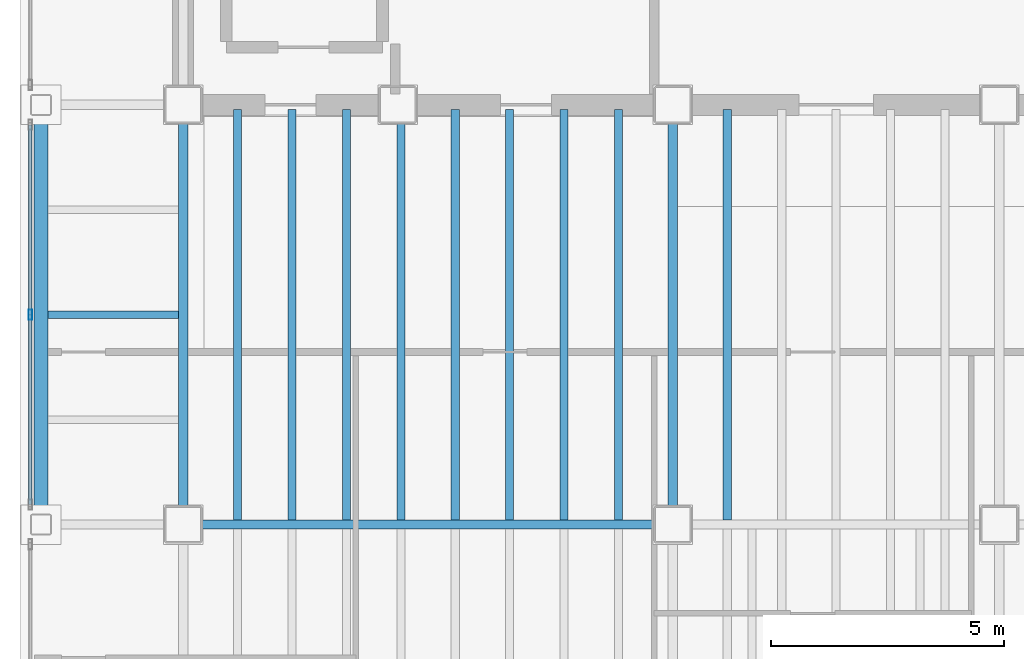
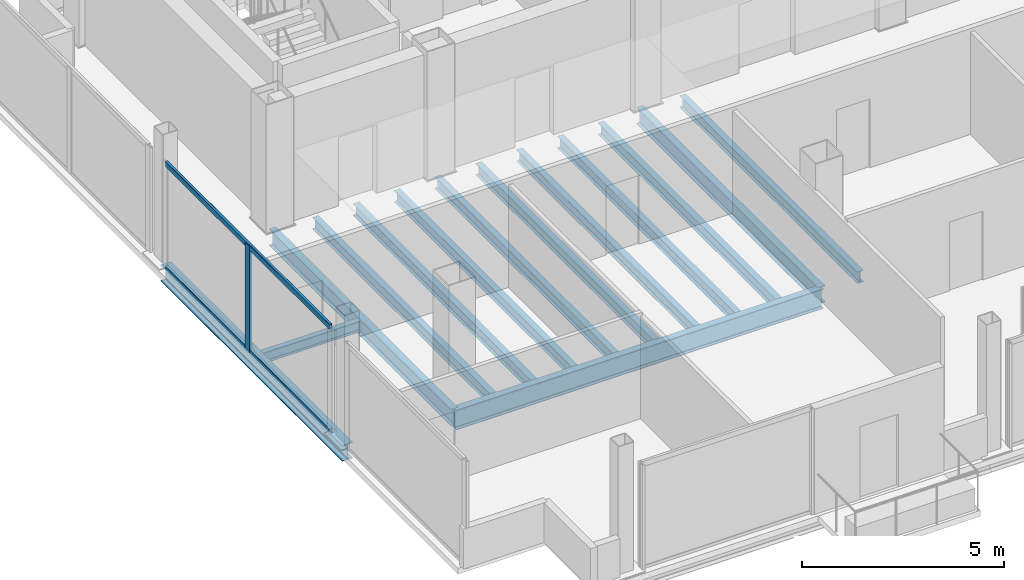
# One storey, part 3 of 15: 14 beams, 3 members, 1 element without a shape of its own.
"""IFC4 building model written with IfcOpenShell, lengths in metres."""

from ifc_helpers import new_model, si_unit, direction, frame, origin, origin_2d, place, context, subcontext, project, spatial, hollow_rectangle, i_section, extrude, material, material_profile, profile_set, type_object, element, aggregate, save


model = new_model("IFC4")

# Units and contexts
model_context = context("Model", 3, precision=1e-05, world=origin(), true_north=direction((0.0, 1.0)))
body_context = subcontext(model_context, "Body", "Model", "MODEL_VIEW")
ifc_project = project(units=[si_unit("LENGTHUNIT", "METRE"), si_unit("AREAUNIT", "SQUARE_METRE"), si_unit("VOLUMEUNIT", "CUBIC_METRE"), si_unit("PLANEANGLEUNIT", "RADIAN"), si_unit("MASSUNIT", "GRAM", prefix="KILO")], contexts=[model_context])

# Site, building, storey
site_placement = place(None, origin())
site = spatial("IfcSite", under=ifc_project, at=site_placement, CompositionType="ELEMENT")
building_placement = place(site_placement, origin())
building = spatial("IfcBuilding", under=site, at=building_placement, Name="Noeulbin Bourse Tower", CompositionType="ELEMENT")
storey_placement = place(building_placement, frame((0.0, 0.0, 218.89990234375)))
storey = spatial("IfcBuildingStorey", under=building, at=storey_placement, Name="L54", CompositionType="ELEMENT", Elevation=218.89990234375)

# Beams
ifc_material_1 = material(Name="Steel S355", Category="steel")
ifc_material_profile_1 = material_profile(ifc_material_1, i_section(OverallWidth=0.199951171875, OverallDepth=0.5, WebThickness=0.010009765625, FlangeThickness=0.01611328125, FilletRadius=0.02001953125, at=origin_2d()), Name="H-500x200x10x16", Category="LoadBearing")
ifc_profile_set_1 = profile_set([ifc_material_profile_1], Name="Steel S355")
beam_type_1 = type_object("IfcBeamType", Name="BM-GRD-500", PredefinedType="USERDEFINED", material=ifc_profile_set_1)
for number, where, z_axis, x_axis, name in (
    (1, (13.5, 20.0, -0.429931640625), (0.0, 1.0, 0.0), (-1.0, 0.0, 0.0), "Tower Primary Girder NS L54-1.2"),
    (2, (24.0, 20.0, -0.429931640625), (0.0, 1.0, 0.0), (-1.0, 0.0, 0.0), "Tower Primary Girder NS L54-2.2"),
):
    element("IfcBeam", number, at=place(storey_placement, frame(where, z_axis=z_axis, x_axis=x_axis)), inside=storey, type_object=beam_type_1, Name=name, ObjectType="GIRDER", PredefinedType="USERDEFINED", context=body_context, shape_type="SweptSolid", body=[
        extrude(i_section(OverallWidth=0.199951171875, OverallDepth=0.5, WebThickness=0.010009765625, FlangeThickness=0.01611328125, FilletRadius=0.02001953125, at=origin_2d()), origin(), (0.0, 0.0, 1.0), 9.0),
    ])
ifc_material_profile_2 = material_profile(ifc_material_1, i_section(OverallWidth=0.199951171875, OverallDepth=0.60009765625, WebThickness=0.010986328125, FlangeThickness=0.01708984375, FilletRadius=0.02197265625, at=origin_2d()), Name="H-600x200x11x17", Category="LoadBearing")
ifc_profile_set_2 = profile_set([ifc_material_profile_2], Name="Steel S355")
beam_type_2 = type_object("IfcBeamType", Name="BM-GRD-600", PredefinedType="USERDEFINED", material=ifc_profile_set_2)
beam_1_placement = place(storey_placement, frame((13.5, 20.0, -0.47998046875), z_axis=(1.0, 0.0, 0.0), x_axis=(0.0, 1.0, 0.0)))
element("IfcBeam", 3, at=beam_1_placement, inside=storey, type_object=beam_type_2, Name="Tower Primary Girder EW L54-1.2", ObjectType="GIRDER", PredefinedType="USERDEFINED", context=body_context, shape_type="SweptSolid", body=[
    extrude(i_section(OverallWidth=0.199951171875, OverallDepth=0.60009765625, WebThickness=0.010986328125, FlangeThickness=0.01708984375, FilletRadius=0.02197265625, at=origin_2d()), origin(), (0.0, 0.0, 1.0), 10.5),
])
ifc_material_profile_3 = material_profile(ifc_material_1, i_section(OverallWidth=0.159912109375, OverallDepth=0.320068359375, WebThickness=0.006591796875, FlangeThickness=0.010009765625, FilletRadius=0.012939453125, at=origin_2d()), Name="H-320x160x6.5x10", Category="LoadBearing")
ifc_profile_set_3 = profile_set([ifc_material_profile_3], Name="Steel S355")
beam_type_3 = type_object("IfcBeamType", Name="BM-JST-320", PredefinedType="JOIST", material=ifc_profile_set_3)
beam_2_placement = place(storey_placement, frame((10.60009765625, 24.5, -0.33984375), z_axis=(1.0, 0.0, 0.0), x_axis=(0.0, 1.0, 0.0)))
element("IfcBeam", 4, at=beam_2_placement, inside=storey, type_object=beam_type_3, Name="Wing Composite Joist L54-W48", PredefinedType="JOIST", context=body_context, shape_type="SweptSolid", body=[
    extrude(i_section(OverallWidth=0.159912109375, OverallDepth=0.320068359375, WebThickness=0.006591796875, FlangeThickness=0.010009765625, FilletRadius=0.012939453125, at=origin_2d()), origin(), (0.0, 0.0, 1.0), 2.7998046875),
])
ifc_material_profile_4 = material_profile(ifc_material_1, i_section(OverallWidth=0.175048828125, OverallDepth=0.35009765625, WebThickness=0.007080078125, FlangeThickness=0.010986328125, FilletRadius=0.013916015625, at=origin_2d()), Name="H-350x175x7x11", Category="LoadBearing")
ifc_profile_set_4 = profile_set([ifc_material_profile_4], Name="Steel S355")
beam_type_4 = type_object("IfcBeamType", Name="BM-JST-350", PredefinedType="JOIST", material=ifc_profile_set_4)
for number, where, z_axis, x_axis, name in (
    (5, (14.666748046875, 20.10009765625, -0.35498046875), (0.0, 1.0, 0.0), (-1.0, 0.0, 0.0), "Tower Composite Joist L54-02"),
    (6, (15.833251953125, 20.10009765625, -0.35498046875), (0.0, 1.0, 0.0), (-1.0, 0.0, 0.0), "Tower Composite Joist L54-04"),
    (7, (17.0, 20.10009765625, -0.35498046875), (0.0, 1.0, 0.0), (-1.0, 0.0, 0.0), "Tower Composite Joist L54-06"),
    (8, (18.166748046875, 20.10009765625, -0.35498046875), (0.0, 1.0, 0.0), (-1.0, 0.0, 0.0), "Tower Composite Joist L54-08"),
    (9, (19.333251953125, 20.10009765625, -0.35498046875), (0.0, 1.0, 0.0), (-1.0, 0.0, 0.0), "Tower Composite Joist L54-10"),
    (10, (20.5, 20.10009765625, -0.35498046875), (0.0, 1.0, 0.0), (-1.0, 0.0, 0.0), "Tower Composite Joist L54-12"),
    (11, (21.666748046875, 20.10009765625, -0.35498046875), (0.0, 1.0, 0.0), (-1.0, 0.0, 0.0), "Tower Composite Joist L54-14"),
    (12, (22.833251953125, 20.10009765625, -0.35498046875), (0.0, 1.0, 0.0), (-1.0, 0.0, 0.0), "Tower Composite Joist L54-16"),
    (13, (25.166748046875, 20.10009765625, -0.35498046875), (0.0, 1.0, 0.0), (-1.0, 0.0, 0.0), "Tower Composite Joist L54-18"),
):
    element("IfcBeam", number, at=place(storey_placement, frame(where, z_axis=z_axis, x_axis=x_axis)), inside=storey, type_object=beam_type_4, Name=name, PredefinedType="JOIST", context=body_context, shape_type="SweptSolid", body=[
        extrude(i_section(OverallWidth=0.175048828125, OverallDepth=0.35009765625, WebThickness=0.007080078125, FlangeThickness=0.010986328125, FilletRadius=0.013916015625, at=origin_2d()), origin(), (0.0, 0.0, 1.0), 8.7998046875),
    ])
ifc_material_profile_5 = material_profile(ifc_material_1, i_section(OverallWidth=0.300048828125, OverallDepth=0.488037109375, WebThickness=0.010986328125, FlangeThickness=0.01806640625, FilletRadius=0.02197265625, at=origin_2d()), Name="H-488x300x11x18", Category="LoadBearing")
ifc_profile_set_5 = profile_set([ifc_material_profile_5], Name="Steel S355")
beam_type_5 = type_object("IfcBeamType", Name="BM-SPN-488", PredefinedType="SPANDREL", material=ifc_profile_set_5)
beam_3_placement = place(storey_placement, frame((10.449951171875, 20.0, -0.423828125), z_axis=(0.0, 1.0, 0.0), x_axis=(-1.0, 0.0, 0.0)))
element("IfcBeam", 14, at=beam_3_placement, inside=storey, type_object=beam_type_5, Name="West Spandrel L54-1", PredefinedType="SPANDREL", context=body_context, shape_type="SweptSolid", body=[
    extrude(i_section(OverallWidth=0.300048828125, OverallDepth=0.488037109375, WebThickness=0.010986328125, FlangeThickness=0.01806640625, FilletRadius=0.02197265625, at=origin_2d()), origin(), (0.0, 0.0, 1.0), 9.0),
])

# Curtain wall, members
ifc_material_2 = material(Name="High-Selectivity Low-Iron Glazing", Category="glass")
curtain_wall_type = type_object("IfcCurtainWallType", Name="CW-SYS-4", PredefinedType="NOTDEFINED", material=ifc_material_2)
curtain_wall_placement = place(storey_placement, origin())
curtain_wall = element("IfcCurtainWall", 15, at=curtain_wall_placement, inside=storey, type_object=curtain_wall_type, Name="Unitised Curtain Wall CW-L54-W-S2", PredefinedType="NOTDEFINED")
ifc_material_3 = material(Name="Anodised Aluminium 6063-T6", Category="aluminium")
ifc_material_profile_6 = material_profile(ifc_material_3, hollow_rectangle(XDim=0.074951171875, YDim=0.219970703125, WallThickness=0.0048828125, InnerFilletRadius=0.00244140625, OuterFilletRadius=0.0048828125, at=origin_2d()), Name="ALU-MULL-75x220x5", Category="LoadBearing")
ifc_profile_set_6 = profile_set([ifc_material_profile_6], Name="Anodised Aluminium 6063-T6")
member_type_1 = type_object("IfcMemberType", Name="CW-SYS-4-MUL", PredefinedType="MULLION", material=ifc_profile_set_6)
member_1_placement = place(storey_placement, frame((10.219970703125, 24.5, -0.02001953125), z_axis=(0.0, 0.0, 1.0), x_axis=(1.0, 0.0, 0.0)))
member_1 = element("IfcMember", 16, at=member_1_placement, type_object=member_type_1, Name="Curtain Wall Mullion CW-L54-W-S2-M01", PredefinedType="MULLION", context=body_context, shape_type="SweptSolid", body=[
    extrude(hollow_rectangle(XDim=0.074951171875, YDim=0.219970703125, WallThickness=0.0048828125, InnerFilletRadius=0.00244140625, OuterFilletRadius=0.0048828125, at=origin_2d()), origin(), (0.0, 0.0, 1.0), 3.22021484375),
])
ifc_material_profile_7 = material_profile(ifc_material_3, hollow_rectangle(XDim=0.074951171875, YDim=0.159912109375, WallThickness=0.0048828125, InnerFilletRadius=0.00244140625, OuterFilletRadius=0.0048828125, at=origin_2d()), Name="ALU-TRAN-75x160x5", Category="LoadBearing")
ifc_profile_set_7 = profile_set([ifc_material_profile_7], Name="Anodised Aluminium 6063-T6")
member_type_2 = type_object("IfcMemberType", Name="CW-SYS-4-TRN", PredefinedType="USERDEFINED", material=ifc_profile_set_7)
member_2_placement = place(storey_placement, frame((10.219970703125, 20.43505859375, 0.010009765625), z_axis=(0.0, 1.0, 0.0), x_axis=(-1.0, 0.0, 0.0)))
member_2 = element("IfcMember", 17, at=member_2_placement, type_object=member_type_2, Name="Curtain Wall Transom CW-L54-W-S2-T00", ObjectType="TRANSOM", PredefinedType="USERDEFINED", context=body_context, shape_type="SweptSolid", body=[
    extrude(hollow_rectangle(XDim=0.074951171875, YDim=0.159912109375, WallThickness=0.0048828125, InnerFilletRadius=0.00244140625, OuterFilletRadius=0.0048828125, at=origin_2d()), origin(), (0.0, 0.0, 1.0), 8.1298828125),
])
member_3_placement = place(storey_placement, frame((10.219970703125, 20.43505859375, 3.170166015625), z_axis=(0.0, 1.0, 0.0), x_axis=(-1.0, 0.0, 0.0)))
member_3 = element("IfcMember", 18, at=member_3_placement, type_object=member_type_2, Name="Curtain Wall Transom CW-L54-W-S2-T01", ObjectType="TRANSOM", PredefinedType="USERDEFINED", context=body_context, shape_type="SweptSolid", body=[
    extrude(hollow_rectangle(XDim=0.074951171875, YDim=0.159912109375, WallThickness=0.0048828125, InnerFilletRadius=0.00244140625, OuterFilletRadius=0.0048828125, at=origin_2d()), origin(), (0.0, 0.0, 1.0), 8.1298828125),
])
aggregate(curtain_wall, [member_1, member_2, member_3])

save(model, "model.ifc")
